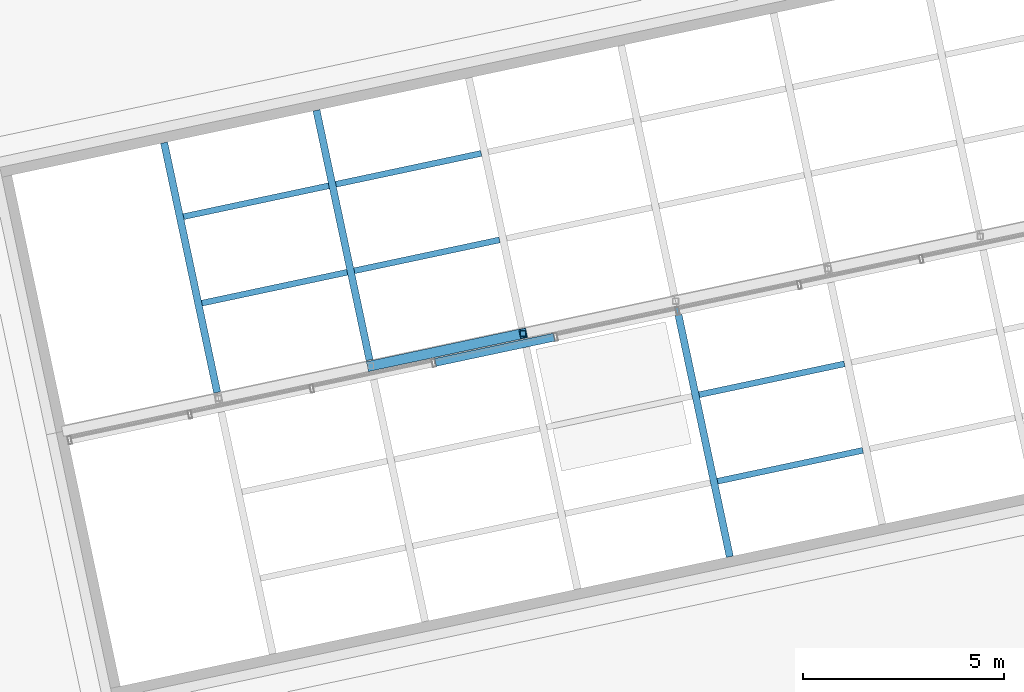
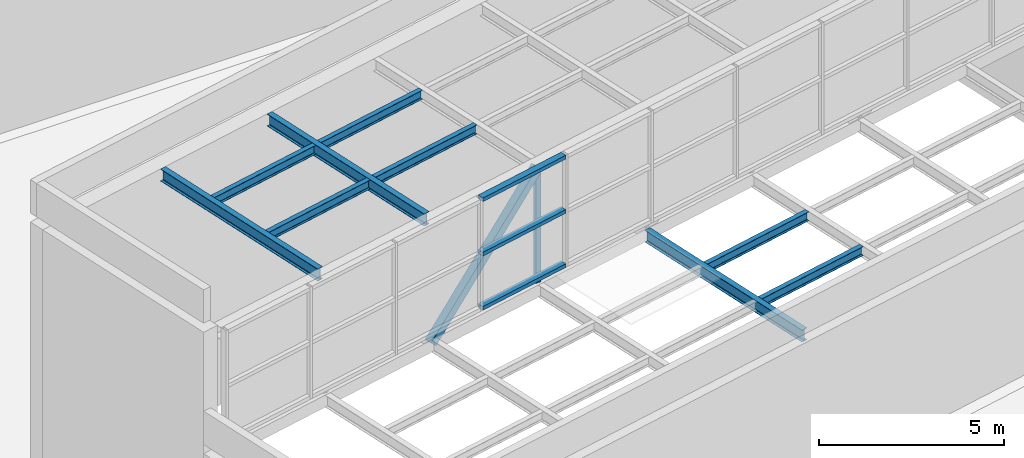
# One storey, part 45 of 72: 11 members, 3 beams, 1 element without a shape of its own.
"""IFC4 building model written with IfcOpenShell, lengths in metres."""

from ifc_helpers import new_model, si_unit, direction, frame, origin, origin_2d, place, context, subcontext, project, spatial, hollow_rectangle, i_section, extrude, material, layer, layer_set, material_profile, profile_set, type_object, element, aggregate, save


model = new_model("IFC4")

# Units and contexts
model_context = context("Model", 3, precision=1e-05, world=origin(), true_north=direction((0.0, 1.0)))
body_context = subcontext(model_context, "Body", "Model", "MODEL_VIEW")
ifc_project = project(units=[si_unit("LENGTHUNIT", "METRE"), si_unit("AREAUNIT", "SQUARE_METRE"), si_unit("VOLUMEUNIT", "CUBIC_METRE"), si_unit("PLANEANGLEUNIT", "RADIAN"), si_unit("MASSUNIT", "GRAM", prefix="KILO")], contexts=[model_context])

# Site, building, storey
site_placement = place(None, origin())
site = spatial("IfcSite", under=ifc_project, at=site_placement, CompositionType="ELEMENT")
building_placement = place(site_placement, origin())
building = spatial("IfcBuilding", under=site, at=building_placement, Name="Nzadi Deep Aquarium and Research Tower", CompositionType="ELEMENT")
storey_placement = place(building_placement, frame((0.0, 0.0, 31.89990234375)))
storey = spatial("IfcBuildingStorey", under=building, at=storey_placement, Name="L05", CompositionType="ELEMENT", Elevation=31.89990234375)

# Members
ifc_material_1 = material(Name="Steel S355", Category="steel")
ifc_material_profile_1 = material_profile(ifc_material_1, i_section(OverallWidth=0.14990234375, OverallDepth=0.300048828125, WebThickness=0.007080078125, FlangeThickness=0.0107421875, FilletRadius=0.014892578125, at=origin_2d()))
ifc_profile_set_1 = profile_set([ifc_material_profile_1], Name="Steel S355")
member_type_1 = type_object("IfcMemberType", Name="IPE 300", PredefinedType="PURLIN", material=ifc_profile_set_1)
for number, where, z_axis, x_axis, name in (
    (1, (29.844482421875, 108.71923828125, 4.650146484375), (0.978143399265, 0.207931456193, 0.0), (-0.207931456193, 0.978143399265, 0.0), "MB-BL-ROOF-SPU1-4"),
    (2, (29.386962890625, 110.87109375, 4.650146484375), (0.978143399265, 0.207931456193, 0.0), (-0.207931456193, 0.978143399265, 0.0), "MB-BL-ROOF-SPU2-4"),
    (3, (17.01806640625, 113.1494140625, 8.650146484375), (0.978156835764, 0.207868238673, 0.0), (-0.207868238673, 0.978156835764, 0.0), "MB-BL-ROOF-NPU1-1"),
    (4, (20.808349609375, 113.954833984375, 8.650146484375), (0.978143399265, 0.207931456193, 0.0), (-0.207931456193, 0.978143399265, 0.0), "MB-BL-ROOF-NPU1-2"),
    (5, (16.560791015625, 115.30126953125, 8.650146484375), (0.978156835764, 0.207868238673, 0.0), (-0.207868238673, 0.978156835764, 0.0), "MB-BL-ROOF-NPU2-1"),
    (6, (20.35107421875, 116.10693359375, 8.650146484375), (0.978156835764, 0.207868238673, 0.0), (-0.207868238673, 0.978156835764, 0.0), "MB-BL-ROOF-NPU2-2"),
):
    element("IfcMember", number, at=place(storey_placement, frame(where, z_axis=z_axis, x_axis=x_axis)), inside=storey, type_object=member_type_1, Name=name, PredefinedType="PURLIN", context=body_context, shape_type="SweptSolid", body=[
        extrude(i_section(OverallWidth=0.14990234375, OverallDepth=0.300048828125, WebThickness=0.007080078125, FlangeThickness=0.0107421875, FilletRadius=0.014892578125, at=origin_2d()), origin(), (0.0, 0.0, 1.0), 3.695068359375),
    ])

# Beams
ifc_material_2 = material(Name="Steel S355", Category="steel")
ifc_material_profile_2 = material_profile(ifc_material_2, i_section(OverallWidth=0.179931640625, OverallDepth=0.39990234375, WebThickness=0.008544921875, FlangeThickness=0.013427734375, FilletRadius=0.02099609375, at=origin_2d()))
ifc_profile_set_2 = profile_set([ifc_material_profile_2], Name="Steel S355")
beam_type = type_object("IfcBeamType", Name="IPE 400", PredefinedType="BEAM", material=ifc_profile_set_2)
for number, where, z_axis, x_axis, name in (
    (7, (17.39794921875, 110.9296875, 8.60009765625), (-0.207924511115, 0.978144875608, 0.0), (-0.978144875608, -0.207924511115, 0.0), "B-BL-ROOF-H1"),
    (8, (21.188232421875, 111.7353515625, 8.60009765625), (-0.207924511115, 0.978144875608, 0.0), (-0.978144875608, -0.207924511115, 0.0), "B-BL-ROOF-H2"),
    (9, (30.1513671875, 106.842041015625, 4.60009765625), (-0.207887725283, 0.978152694459, 0.0), (-0.978152694459, -0.207887725283, 0.0), "B-BL-ROOF-G4"),
):
    element("IfcBeam", number, at=place(storey_placement, frame(where, z_axis=z_axis, x_axis=x_axis)), inside=storey, type_object=beam_type, Name=name, PredefinedType="BEAM", context=body_context, shape_type="SweptSolid", body=[
        extrude(i_section(OverallWidth=0.179931640625, OverallDepth=0.39990234375, WebThickness=0.008544921875, FlangeThickness=0.013427734375, FilletRadius=0.02099609375, at=origin_2d()), origin(), (0.0, 0.0, 1.0), 6.349853515625),
    ])

# Members
ifc_material_3 = material(Name="Steel S355", Category="steel")
ifc_material_profile_3 = material_profile(ifc_material_3, hollow_rectangle(XDim=0.14990234375, YDim=0.14990234375, WallThickness=0.008056640625, at=origin_2d()))
ifc_profile_set_3 = profile_set([ifc_material_profile_3], Name="Steel S355")
member_type_2 = type_object("IfcMemberType", Name="RHS 150x150x8 post", PredefinedType="POST", material=ifc_profile_set_3)
member_1_placement = place(storey_placement, frame((25.009765625, 112.394287109375, 4.800048828125), z_axis=(0.0, 0.0, 1.0), x_axis=(1.0, 0.0, 0.0)))
element("IfcMember", 10, at=member_1_placement, inside=storey, type_object=member_type_2, Name="MB-BL-STEP-V3", PredefinedType="POST", context=body_context, shape_type="SweptSolid", body=[
    extrude(hollow_rectangle(XDim=0.14990234375, YDim=0.14990234375, WallThickness=0.008056640625, at=origin_2d()), origin(), (0.0, 0.0, 1.0), 3.60009765625),
])
ifc_material_4 = material(Name="Steel S355", Category="steel")
ifc_material_profile_4 = material_profile(ifc_material_4, hollow_rectangle(XDim=0.25, YDim=0.25, WallThickness=0.010009765625, at=origin_2d()))
ifc_profile_set_4 = profile_set([ifc_material_profile_4], Name="Steel S355")
member_type_3 = type_object("IfcMemberType", Name="RHS 250x250x10 brace", PredefinedType="BRACE", material=ifc_profile_set_4)
member_2_placement = place(storey_placement, frame((21.21923828125, 111.588623046875, 4.60009765625), z_axis=(0.680610106602, 0.144661429331, 0.718222078228), x_axis=(-0.207902457729, 0.978149563242, 0.0)))
element("IfcMember", 11, at=member_2_placement, inside=storey, type_object=member_type_3, Name="MB-BL-STEP-D3", PredefinedType="BRACE", context=body_context, shape_type="SweptSolid", body=[
    extrude(hollow_rectangle(XDim=0.25, YDim=0.25, WallThickness=0.010009765625, at=origin_2d()), origin(), (0.0, 0.0, 1.0), 5.5693359375),
])

# Curtain wall, members
ifc_material_5 = material(Name="Aluminium glazing frame tall", Category="aluminium")
ifc_layer = layer(ifc_material_5, 0.199951171875)
ifc_layer_set = layer_set([ifc_layer], Name="Aluminium glazing frame tall")
curtain_wall_type = type_object("IfcCurtainWallType", Name="Curtain wall Clerestory Tall 200", PredefinedType="NOTDEFINED", material=ifc_layer_set)
curtain_wall_placement = place(storey_placement, origin())
curtain_wall = element("IfcCurtainWall", 12, at=curtain_wall_placement, inside=storey, type_object=curtain_wall_type, Name="Reef blade clerestory glazing", PredefinedType="NOTDEFINED")
ifc_material_6 = material(Name="Aluminium glazing frame tall", Category="aluminium")
ifc_material_profile_5 = material_profile(ifc_material_6, hollow_rectangle(XDim=0.199951171875, YDim=0.1201171875, WallThickness=0.0048828125, at=origin_2d()))
ifc_profile_set_5 = profile_set([ifc_material_profile_5], Name="Aluminium glazing frame tall")
member_type_4 = type_object("IfcMemberType", Name="Transom 120x200 Clerestory Tall", PredefinedType="MULLION", material=ifc_profile_set_5)
member_3_placement = place(storey_placement, frame((22.82666015625, 111.6748046875, 5.16015625), z_axis=(0.978143027179, 0.207933206538, 0.0), x_axis=(-0.207933206538, 0.978143027179, 0.0)))
member_3 = element("IfcMember", 13, at=member_3_placement, type_object=member_type_4, Name="CW258 transom 4.1", PredefinedType="MULLION", context=body_context, shape_type="SweptSolid", body=[
    extrude(hollow_rectangle(XDim=0.199951171875, YDim=0.1201171875, WallThickness=0.0048828125, at=origin_2d()), origin(), (0.0, 0.0, 1.0), 3.019775390625),
])
member_4_placement = place(storey_placement, frame((22.82666015625, 111.6748046875, 6.9501953125), z_axis=(0.978143027179, 0.207933206538, 0.0), x_axis=(-0.207933206538, 0.978143027179, 0.0)))
member_4 = element("IfcMember", 14, at=member_4_placement, type_object=member_type_4, Name="CW258 transom 4.2", PredefinedType="MULLION", context=body_context, shape_type="SweptSolid", body=[
    extrude(hollow_rectangle(XDim=0.199951171875, YDim=0.1201171875, WallThickness=0.0048828125, at=origin_2d()), origin(), (0.0, 0.0, 1.0), 3.019775390625),
])
member_5_placement = place(storey_placement, frame((22.82666015625, 111.6748046875, 8.739990234375), z_axis=(0.978143027179, 0.207933206538, 0.0), x_axis=(-0.207933206538, 0.978143027179, 0.0)))
member_5 = element("IfcMember", 15, at=member_5_placement, type_object=member_type_4, Name="CW258 transom 4.3", PredefinedType="MULLION", context=body_context, shape_type="SweptSolid", body=[
    extrude(hollow_rectangle(XDim=0.199951171875, YDim=0.1201171875, WallThickness=0.0048828125, at=origin_2d()), origin(), (0.0, 0.0, 1.0), 3.019775390625),
])
aggregate(curtain_wall, [member_3, member_4, member_5])

save(model, "model.ifc")
